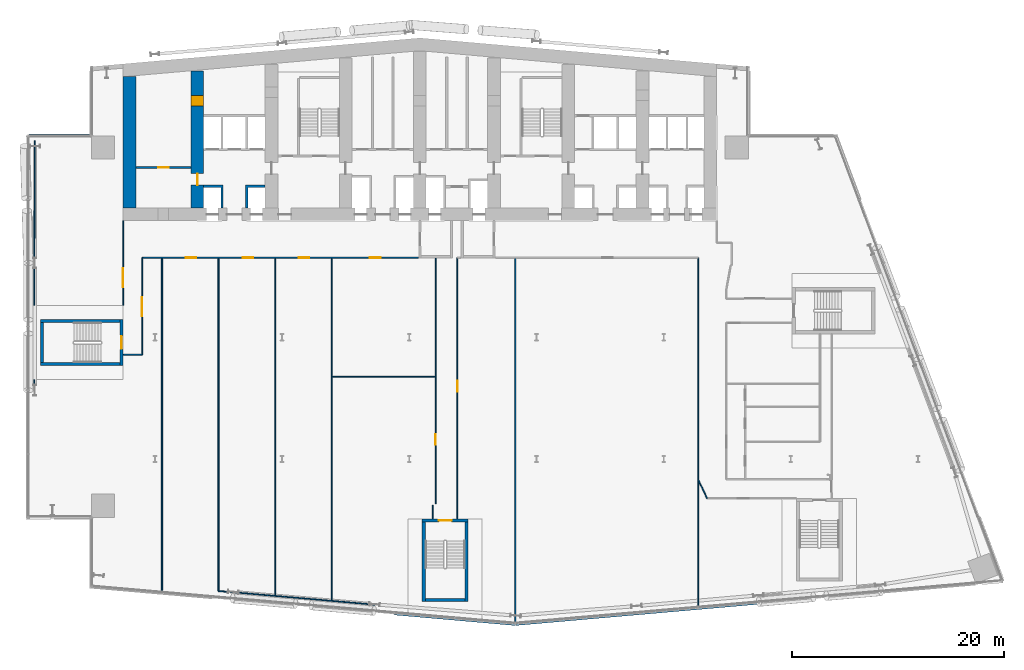
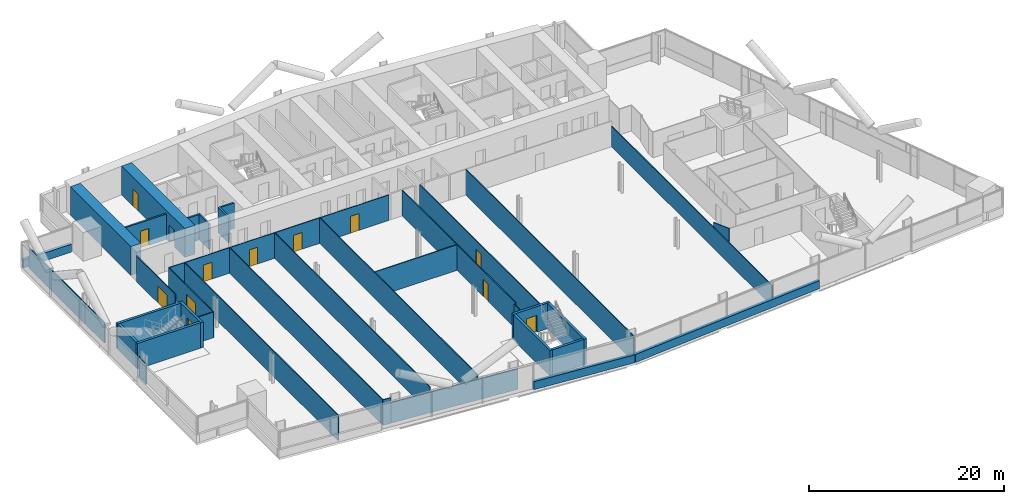
# One storey, part 13 of 25: 36 walls, 13 doors, 13 openings.
"""IFC4 building model written with IfcOpenShell, lengths in metres."""

from ifc_helpers import new_model, si_unit, direction, frame, frame_2d, origin, place, context, subcontext, project, spatial, polyline, rectangle, outline, extrude, material, layer, layer_set, type_object, element, fill, save


model = new_model("IFC4")

# Units and contexts
model_context = context("Model", 3, precision=1e-05, world=origin(), true_north=direction((0.0, 1.0)))
body_context = subcontext(model_context, "Body", "Model", "MODEL_VIEW")
ifc_project = project(units=[si_unit("LENGTHUNIT", "METRE"), si_unit("AREAUNIT", "SQUARE_METRE"), si_unit("VOLUMEUNIT", "CUBIC_METRE"), si_unit("PLANEANGLEUNIT", "RADIAN"), si_unit("MASSUNIT", "GRAM", prefix="KILO")], contexts=[model_context])

# Site, building, storey
site_placement = place(None, origin())
site = spatial("IfcSite", under=ifc_project, at=site_placement, CompositionType="ELEMENT")
building_placement = place(site_placement, origin())
building = spatial("IfcBuilding", under=site, at=building_placement, Name="Wharfspan Tower", CompositionType="ELEMENT")
storey_placement = place(building_placement, frame((0.0, 0.0, 63.100098)))
storey = spatial("IfcBuildingStorey", under=building, at=storey_placement, Name="L12", CompositionType="ELEMENT", Elevation=63.100098)

# Wall, opening, door
ifc_material_1 = material(Name="Gypsum board on steel studs", Category="steel")
ifc_layer_1 = layer(ifc_material_1, 0.100098)
ifc_layer_set_1 = layer_set([ifc_layer_1], Name="Gypsum board on steel studs")
wall_type_1 = type_object("IfcWallType", Name="Compartment wall 100 EI 60", PredefinedType="PARTITIONING", material=ifc_layer_set_1)
wall_1_placement = place(storey_placement, frame((9.0, 26.02002, 0.0), z_axis=(0.0, 0.0, 1.0), x_axis=(0.0, 1.0, 0.0)))
wall_1 = element("IfcWall", 1, at=wall_1_placement, inside=storey, type_object=wall_type_1, Name="Partition L12.w004", PredefinedType="PARTITIONING", context=body_context, shape_type="SweptSolid", body=[
    extrude(rectangle(XDim=7.959961, YDim=0.100098, at=frame_2d((3.97998, 0.0))), origin(), (0.0, 0.0, 1.0), 3.199951),
])
opening_1_placement = place(wall_1_placement, frame((1.699951, 0.0, 0.0)))
opening_1 = element("IfcOpeningElement", 2, at=opening_1_placement, cuts=wall_1, Name="Opening A3-12", PredefinedType="OPENING", context=body_context, shape_type="SweptSolid", body=[
    extrude(rectangle(XDim=1.800049, YDim=2.100098, at=frame_2d((0.899902, 1.050049))), frame((0.0, 0.060059, 0.0), z_axis=(0.0, -1.0, 0.0), x_axis=(1.0, 0.0, 0.0)), (0.0, 0.0, 1.0), 0.120117),
])
ifc_material_2 = material(Name="Fire-rated timber door leaf in steel frame", Category="steel")
door_type_1 = type_object("IfcDoorType", Name="Door 1800 FD30S Double", OperationType="DOUBLE_DOOR_SINGLE_SWING", PredefinedType="DOOR", material=ifc_material_2)
door_1_placement = place(opening_1_placement, origin())
door_1 = element("IfcDoor", 3, at=door_1_placement, inside=storey, type_object=door_type_1, Name="Door A3-12", OperationType="DOUBLE_DOOR_SINGLE_SWING", OverallHeight=2.100098, OverallWidth=1.800049, PredefinedType="DOOR", context=body_context, shape_type="SweptSolid", body=[
    extrude(rectangle(XDim=1.800049, YDim=2.100098, at=frame_2d((0.899902, 1.050049))), frame((0.0, 0.024902, 0.0), z_axis=(0.0, -1.0, 0.0), x_axis=(1.0, 0.0, 0.0)), (0.0, 0.0, 1.0), 0.050049),
])
fill(opening_1, door_1)

# Wall
wall_2_placement = place(storey_placement, frame((9.02002, 21.350098, 0.0), z_axis=(0.0, 0.0, 1.0), x_axis=(1.0, 0.0, 0.0)))
element("IfcWall", 4, at=wall_2_placement, inside=storey, type_object=wall_type_1, Name="Partition L12.w005", PredefinedType="PARTITIONING", context=body_context, shape_type="SweptSolid", body=[
    extrude(rectangle(XDim=1.780029, YDim=0.100098, at=frame_2d((0.890137, 0.0))), origin(), (0.0, 0.0, 1.0), 3.199951),
])

# Wall, opening, door
wall_3_placement = place(storey_placement, frame((10.800049, 21.350098, 0.0), z_axis=(0.0, 0.0, 1.0), x_axis=(0.0, 1.0, 0.0)))
wall_3 = element("IfcWall", 5, at=wall_3_placement, inside=storey, type_object=wall_type_1, Name="Partition L12.w006", PredefinedType="PARTITIONING", context=body_context, shape_type="SweptSolid", body=[
    extrude(rectangle(XDim=9.149902, YDim=0.100098, at=frame_2d((4.574951, 0.0))), origin(), (0.0, 0.0, 1.0), 3.199951),
])
opening_2_placement = place(wall_3_placement, frame((3.620117, 0.0, 0.0)))
opening_2 = element("IfcOpeningElement", 6, at=opening_2_placement, cuts=wall_3, Name="Opening A3-10", PredefinedType="OPENING", context=body_context, shape_type="SweptSolid", body=[
    extrude(rectangle(XDim=1.800049, YDim=2.100098, at=frame_2d((0.899902, 1.050049))), frame((0.0, 0.060059, 0.0), z_axis=(0.0, -1.0, 0.0), x_axis=(1.0, 0.0, 0.0)), (0.0, 0.0, 1.0), 0.120117),
])
door_2_placement = place(opening_2_placement, origin())
door_2 = element("IfcDoor", 7, at=door_2_placement, inside=storey, type_object=door_type_1, Name="Door A3-10", OperationType="DOUBLE_DOOR_SINGLE_SWING", OverallHeight=2.100098, OverallWidth=1.800049, PredefinedType="DOOR", context=body_context, shape_type="SweptSolid", body=[
    extrude(rectangle(XDim=1.800049, YDim=2.100098, at=frame_2d((0.899902, 1.050049))), frame((0.0, 0.024902, 0.0), z_axis=(0.0, -1.0, 0.0), x_axis=(1.0, 0.0, 0.0)), (0.0, 0.0, 1.0), 0.050049),
])
fill(opening_2, door_2)

# Wall, openings, doors
wall_4_placement = place(storey_placement, frame((10.800049, 30.5, 0.0), z_axis=(0.0, 0.0, 1.0), x_axis=(1.0, 0.0, 0.0)))
wall_4 = element("IfcWall", 8, at=wall_4_placement, inside=storey, type_object=wall_type_1, Name="Partition L12.w007", PredefinedType="PARTITIONING", context=body_context, shape_type="SweptSolid", body=[
    extrude(rectangle(XDim=26.050049, YDim=0.100098, at=frame_2d((13.024902, 0.0))), origin(), (0.0, 0.0, 1.0), 3.199951),
])
opening_3_placement = place(wall_4_placement, frame((4.090088, 0.0, 0.0)))
opening_3 = element("IfcOpeningElement", 9, at=opening_3_placement, cuts=wall_4, Name="Opening A3-13", PredefinedType="OPENING", context=body_context, shape_type="SweptSolid", body=[
    extrude(rectangle(XDim=1.0, YDim=2.100098, at=frame_2d((0.5, 1.050049))), frame((0.0, 0.060059, 0.0), z_axis=(0.0, -1.0, 0.0), x_axis=(1.0, 0.0, 0.0)), (0.0, 0.0, 1.0), 0.120117),
])
opening_4_placement = place(wall_4_placement, frame((9.5, 0.0, 0.0)))
opening_4 = element("IfcOpeningElement", 10, at=opening_4_placement, cuts=wall_4, Name="Opening A3-14", PredefinedType="OPENING", context=body_context, shape_type="SweptSolid", body=[
    extrude(rectangle(XDim=1.0, YDim=2.100098, at=frame_2d((0.5, 1.050049))), frame((0.0, 0.060059, 0.0), z_axis=(0.0, -1.0, 0.0), x_axis=(1.0, 0.0, 0.0)), (0.0, 0.0, 1.0), 0.120117),
])
opening_5_placement = place(wall_4_placement, frame((14.754883, 0.0, 0.0)))
opening_5 = element("IfcOpeningElement", 11, at=opening_5_placement, cuts=wall_4, Name="Opening A3-15", PredefinedType="OPENING", context=body_context, shape_type="SweptSolid", body=[
    extrude(rectangle(XDim=1.0, YDim=2.100098, at=frame_2d((0.5, 1.050049))), frame((0.0, 0.060059, 0.0), z_axis=(0.0, -1.0, 0.0), x_axis=(1.0, 0.0, 0.0)), (0.0, 0.0, 1.0), 0.120117),
])
opening_6_placement = place(wall_4_placement, frame((21.48999, 0.0, 0.0)))
opening_6 = element("IfcOpeningElement", 12, at=opening_6_placement, cuts=wall_4, Name="Opening A3-16", PredefinedType="OPENING", context=body_context, shape_type="SweptSolid", body=[
    extrude(rectangle(XDim=1.0, YDim=2.100098, at=frame_2d((0.5, 1.050049))), frame((0.0, 0.060059, 0.0), z_axis=(0.0, -1.0, 0.0), x_axis=(1.0, 0.0, 0.0)), (0.0, 0.0, 1.0), 0.120117),
])
door_type_2 = type_object("IfcDoorType", Name="Door 1000 FD30S Left", OperationType="SINGLE_SWING_LEFT", PredefinedType="DOOR", material=ifc_material_2)
door_3_placement = place(opening_3_placement, origin())
door_3 = element("IfcDoor", 13, at=door_3_placement, inside=storey, type_object=door_type_2, Name="Door A3-13", OperationType="SINGLE_SWING_LEFT", OverallHeight=2.100098, OverallWidth=1.0, PredefinedType="DOOR", context=body_context, shape_type="SweptSolid", body=[
    extrude(rectangle(XDim=1.0, YDim=2.100098, at=frame_2d((0.5, 1.050049))), frame((0.0, 0.024902, 0.0), z_axis=(0.0, -1.0, 0.0), x_axis=(1.0, 0.0, 0.0)), (0.0, 0.0, 1.0), 0.050049),
])
fill(opening_3, door_3)
door_4_placement = place(opening_4_placement, origin())
door_4 = element("IfcDoor", 14, at=door_4_placement, inside=storey, type_object=door_type_2, Name="Door A3-14", OperationType="SINGLE_SWING_LEFT", OverallHeight=2.100098, OverallWidth=1.0, PredefinedType="DOOR", context=body_context, shape_type="SweptSolid", body=[
    extrude(rectangle(XDim=1.0, YDim=2.100098, at=frame_2d((0.5, 1.050049))), frame((0.0, 0.024902, 0.0), z_axis=(0.0, -1.0, 0.0), x_axis=(1.0, 0.0, 0.0)), (0.0, 0.0, 1.0), 0.050049),
])
fill(opening_4, door_4)
door_type_3 = type_object("IfcDoorType", Name="Door 1000 FD30S Right", OperationType="SINGLE_SWING_RIGHT", PredefinedType="DOOR", material=ifc_material_2)
door_5_placement = place(opening_5_placement, origin())
door_5 = element("IfcDoor", 15, at=door_5_placement, inside=storey, type_object=door_type_3, Name="Door A3-15", OperationType="SINGLE_SWING_RIGHT", OverallHeight=2.100098, OverallWidth=1.0, PredefinedType="DOOR", context=body_context, shape_type="SweptSolid", body=[
    extrude(rectangle(XDim=1.0, YDim=2.100098, at=frame_2d((0.5, 1.050049))), frame((0.0, 0.024902, 0.0), z_axis=(0.0, -1.0, 0.0), x_axis=(1.0, 0.0, 0.0)), (0.0, 0.0, 1.0), 0.050049),
])
fill(opening_5, door_5)
door_6_placement = place(opening_6_placement, origin())
door_6 = element("IfcDoor", 16, at=door_6_placement, inside=storey, type_object=door_type_3, Name="Door A3-16", OperationType="SINGLE_SWING_RIGHT", OverallHeight=2.100098, OverallWidth=1.0, PredefinedType="DOOR", context=body_context, shape_type="SweptSolid", body=[
    extrude(rectangle(XDim=1.0, YDim=2.100098, at=frame_2d((0.5, 1.050049))), frame((0.0, 0.024902, 0.0), z_axis=(0.0, -1.0, 0.0), x_axis=(1.0, 0.0, 0.0)), (0.0, 0.0, 1.0), 0.050049),
])
fill(opening_6, door_6)

# Walls
wall_5_placement = place(storey_placement, frame((12.669922, -1.088379, 0.0), z_axis=(0.0, 0.0, 1.0), x_axis=(0.0, 1.0, 0.0)))
element("IfcWall", 17, at=wall_5_placement, inside=storey, type_object=wall_type_1, Name="Partition L12.w008", PredefinedType="PARTITIONING", context=body_context, shape_type="SweptSolid", body=[
    extrude(rectangle(XDim=31.588379, YDim=0.100098, at=frame_2d((15.794189, 0.0))), origin(), (0.0, 0.0, 1.0), 3.199951),
])
wall_6_placement = place(storey_placement, frame((18.0, -0.939941, 0.0), z_axis=(0.0, 0.0, 1.0), x_axis=(0.0, 1.0, 0.0)))
element("IfcWall", 18, at=wall_6_placement, inside=storey, type_object=wall_type_1, Name="Partition L12.w009", PredefinedType="PARTITIONING", context=body_context, shape_type="SweptSolid", body=[
    extrude(rectangle(XDim=31.439941, YDim=0.100098, at=frame_2d((15.719971, 0.0))), origin(), (0.0, 0.0, 1.0), 3.199951),
])
wall_7_placement = place(storey_placement, frame((23.334961, -1.409912, 0.0), z_axis=(0.0, 0.0, 1.0), x_axis=(0.0, 1.0, 0.0)))
element("IfcWall", 19, at=wall_7_placement, inside=storey, type_object=wall_type_1, Name="Partition L12.w011", PredefinedType="PARTITIONING", context=body_context, shape_type="SweptSolid", body=[
    extrude(rectangle(XDim=31.909912, YDim=0.100098, at=frame_2d((15.955078, 0.0))), origin(), (0.0, 0.0, 1.0), 3.199951),
])
wall_8_placement = place(storey_placement, frame((28.669922, -1.875, 0.0), z_axis=(0.0, 0.0, 1.0), x_axis=(0.0, 1.0, 0.0)))
element("IfcWall", 20, at=wall_8_placement, inside=storey, type_object=wall_type_1, Name="Partition L12.w012", PredefinedType="PARTITIONING", context=body_context, shape_type="SweptSolid", body=[
    extrude(rectangle(XDim=32.375, YDim=0.100098, at=frame_2d((16.1875, 0.0))), origin(), (0.0, 0.0, 1.0), 3.199951),
])
wall_9_placement = place(storey_placement, frame((28.669922, 19.284912, 0.0), z_axis=(0.0, 0.0, 1.0), x_axis=(1.0, 0.0, 0.0)))
element("IfcWall", 21, at=wall_9_placement, inside=storey, type_object=wall_type_1, Name="Partition L12.w013", PredefinedType="PARTITIONING", context=body_context, shape_type="SweptSolid", body=[
    extrude(rectangle(XDim=9.810059, YDim=0.100098, at=frame_2d((4.905029, 0.0))), origin(), (0.0, 0.0, 1.0), 3.199951),
])
wall_10_placement = place(storey_placement, frame((38.22998, 5.880615, 0.0), z_axis=(0.0, 0.0, 1.0), x_axis=(0.0, 1.0, 0.0)))
element("IfcWall", 22, at=wall_10_placement, inside=storey, type_object=wall_type_1, Name="Partition L12.w015", PredefinedType="PARTITIONING", context=body_context, shape_type="SweptSolid", body=[
    extrude(rectangle(XDim=1.279297, YDim=0.100098, at=frame_2d((0.639648, 0.0))), origin(), (0.0, 0.0, 1.0), 3.199951),
])

# Wall, opening, door
wall_11_placement = place(storey_placement, frame((38.47998, 7.280029, 0.0), z_axis=(0.0, 0.0, 1.0), x_axis=(0.0, 1.0, 0.0)))
wall_11 = element("IfcWall", 23, at=wall_11_placement, inside=storey, type_object=wall_type_1, Name="Partition L12.w016", PredefinedType="PARTITIONING", context=body_context, shape_type="SweptSolid", body=[
    extrude(rectangle(XDim=23.219971, YDim=0.100098, at=frame_2d((11.609863, 0.0))), origin(), (0.0, 0.0, 1.0), 3.199951),
])
opening_7_placement = place(wall_11_placement, frame((5.580078, 0.0, 0.0)))
opening_7 = element("IfcOpeningElement", 24, at=opening_7_placement, cuts=wall_11, Name="Opening A3-05", PredefinedType="OPENING", context=body_context, shape_type="SweptSolid", body=[
    extrude(rectangle(XDim=1.0, YDim=2.100098, at=frame_2d((0.5, 1.050049))), frame((0.0, 0.060059, 0.0), z_axis=(0.0, -1.0, 0.0), x_axis=(1.0, 0.0, 0.0)), (0.0, 0.0, 1.0), 0.120117),
])
door_7_placement = place(opening_7_placement, origin())
door_7 = element("IfcDoor", 25, at=door_7_placement, inside=storey, type_object=door_type_2, Name="Door A3-05", OperationType="SINGLE_SWING_LEFT", OverallHeight=2.100098, OverallWidth=1.0, PredefinedType="DOOR", context=body_context, shape_type="SweptSolid", body=[
    extrude(rectangle(XDim=1.0, YDim=2.100098, at=frame_2d((0.5, 1.050049))), frame((0.0, 0.024902, 0.0), z_axis=(0.0, -1.0, 0.0), x_axis=(1.0, 0.0, 0.0)), (0.0, 0.0, 1.0), 0.050049),
])
fill(opening_7, door_7)

wall_12_placement = place(storey_placement, frame((40.534912, 5.880615, 0.0), z_axis=(0.0, 0.0, 1.0), x_axis=(0.0, 1.0, 0.0)))
wall_12 = element("IfcWall", 26, at=wall_12_placement, inside=storey, type_object=wall_type_1, Name="Partition L12.w017", PredefinedType="PARTITIONING", context=body_context, shape_type="SweptSolid", body=[
    extrude(rectangle(XDim=24.619385, YDim=0.100098, at=frame_2d((12.30957, 0.0))), origin(), (0.0, 0.0, 1.0), 3.199951),
])
opening_8_placement = place(wall_12_placement, frame((11.999512, 0.0, 0.0)))
opening_8 = element("IfcOpeningElement", 27, at=opening_8_placement, cuts=wall_12, Name="Opening A3-08", PredefinedType="OPENING", context=body_context, shape_type="SweptSolid", body=[
    extrude(rectangle(XDim=1.0, YDim=2.100098, at=frame_2d((0.5, 1.050049))), frame((0.0, 0.060059, 0.0), z_axis=(0.0, -1.0, 0.0), x_axis=(1.0, 0.0, 0.0)), (0.0, 0.0, 1.0), 0.120117),
])
door_8_placement = place(opening_8_placement, origin())
door_8 = element("IfcDoor", 28, at=door_8_placement, inside=storey, type_object=door_type_3, Name="Door A3-08", OperationType="SINGLE_SWING_RIGHT", OverallHeight=2.100098, OverallWidth=1.0, PredefinedType="DOOR", context=body_context, shape_type="SweptSolid", body=[
    extrude(rectangle(XDim=1.0, YDim=2.100098, at=frame_2d((0.5, 1.050049))), frame((0.0, 0.024902, 0.0), z_axis=(0.0, -1.0, 0.0), x_axis=(1.0, 0.0, 0.0)), (0.0, 0.0, 1.0), 0.050049),
])
fill(opening_8, door_8)

# Walls
wall_13_placement = place(storey_placement, frame((46.0, -4.004395, 0.0), z_axis=(0.0, 0.0, 1.0), x_axis=(0.0, 1.0, 0.0)))
element("IfcWall", 29, at=wall_13_placement, inside=storey, type_object=wall_type_1, Name="Partition L12.w019", PredefinedType="PARTITIONING", context=body_context, shape_type="SweptSolid", body=[
    extrude(rectangle(XDim=34.504395, YDim=0.100098, at=frame_2d((17.252197, 0.0))), origin(), (0.0, 0.0, 1.0), 3.199951),
])
wall_14_placement = place(storey_placement, frame((63.25, -2.495117, 0.0), z_axis=(0.0, 0.0, 1.0), x_axis=(0.0, 1.0, 0.0)))
element("IfcWall", 30, at=wall_14_placement, inside=storey, type_object=wall_type_1, Name="Partition L12.w020", PredefinedType="PARTITIONING", context=body_context, shape_type="SweptSolid", body=[
    extrude(rectangle(XDim=32.995117, YDim=0.100098, at=frame_2d((16.497559, 0.0))), origin(), (0.0, 0.0, 1.0), 2.579834),
])
wall_15_placement = place(storey_placement, frame((64.100098, 7.790039, 0.0), z_axis=(0.0, 0.0, 1.0), x_axis=(-0.428035, 0.903766, 0.0)))
element("IfcWall", 31, at=wall_15_placement, inside=storey, type_object=wall_type_1, Name="Partition L12.w022", PredefinedType="PARTITIONING", context=body_context, shape_type="SweptSolid", body=[
    extrude(rectangle(XDim=1.986084, YDim=0.100098, at=frame_2d((0.993164, 0.0))), origin(), (0.0, 0.0, 1.0), 3.199951),
])

# Wall, opening, door
ifc_material_3 = material(Name="Calcium silicate masonry", Category="masonry")
ifc_layer_2 = layer(ifc_material_3, 0.199951)
ifc_layer_set_2 = layer_set([ifc_layer_2], Name="Calcium silicate masonry")
wall_type_2 = type_object("IfcWallType", Name="Core room wall 200", PredefinedType="PARTITIONING", material=ifc_layer_set_2)
wall_16_placement = place(storey_placement, frame((10.199951, 39.0, 0.0), z_axis=(0.0, 0.0, 1.0), x_axis=(1.0, 0.0, 0.0)))
wall_16 = element("IfcWall", 32, at=wall_16_placement, inside=storey, type_object=wall_type_2, Name="sw:L12:RM0", PredefinedType="PARTITIONING", context=body_context, shape_type="SweptSolid", body=[
    extrude(rectangle(XDim=5.199951, YDim=0.199951, at=frame_2d((2.600098, 0.0))), origin(), (0.0, 0.0, 1.0), 3.199951),
])
opening_9_placement = place(wall_16_placement, frame((2.100098, 0.0, 0.0)))
opening_9 = element("IfcOpeningElement", 33, at=opening_9_placement, cuts=wall_16, Name="Opening CD12.02", PredefinedType="OPENING", context=body_context, shape_type="SweptSolid", body=[
    extrude(rectangle(XDim=1.0, YDim=2.100098, at=frame_2d((0.5, 1.050049))), frame((0.0, 0.109863, 0.0), z_axis=(0.0, -1.0, 0.0), x_axis=(1.0, 0.0, 0.0)), (0.0, 0.0, 1.0), 0.219971),
])
ifc_material_4 = material(Name="Steel door leaf", Category="steel")
door_type_4 = type_object("IfcDoorType", Name="Core room door 1000x2100", OperationType="SINGLE_SWING_LEFT", PredefinedType="DOOR", material=ifc_material_4)
door_9_placement = place(opening_9_placement, origin())
door_9 = element("IfcDoor", 34, at=door_9_placement, inside=storey, type_object=door_type_4, Name="d:L12:0:rr", OperationType="SINGLE_SWING_RIGHT", OverallHeight=2.100098, OverallWidth=1.0, PredefinedType="DOOR", context=body_context, shape_type="SweptSolid", body=[
    extrude(rectangle(XDim=1.0, YDim=2.100098, at=frame_2d((0.5, 1.050049))), frame((0.0, 0.024902, 0.0), z_axis=(0.0, -1.0, 0.0), x_axis=(1.0, 0.0, 0.0)), (0.0, 0.0, 1.0), 0.050049),
])
fill(opening_9, door_9)

# Wall
ifc_material_5 = material(Name="Concrete C70/85", Category="concrete")
ifc_layer_3 = layer(ifc_material_5, 1.199951)
ifc_layer_set_3 = layer_set([ifc_layer_3], Name="Concrete C70/85")
wall_type_3 = type_object("IfcWallType", Name="Core wall 1200 C70/85", PredefinedType="SHEAR", material=ifc_layer_set_3)
wall_17_placement = place(storey_placement, frame((9.600098, 35.199951, 0.0), z_axis=(0.0, 0.0, 1.0), x_axis=(0.0, 1.0, 0.0)))
element("IfcWall", 35, at=wall_17_placement, inside=storey, type_object=wall_type_3, Name="Core cross wall EW0 L12", PredefinedType="SHEAR", context=body_context, shape_type="SweptSolid", body=[
    extrude(rectangle(XDim=12.382812, YDim=1.199951, at=frame_2d((6.191406, 0.0))), origin(), (0.0, 0.0, 1.0), 3.599854),
])

# Wall, openings, doors
wall_18_placement = place(storey_placement, frame((16.0, 35.199951, 0.0), z_axis=(0.0, 0.0, 1.0), x_axis=(0.0, 1.0, 0.0)))
wall_18 = element("IfcWall", 36, at=wall_18_placement, inside=storey, type_object=wall_type_3, Name="Core cross wall X1 L12", PredefinedType="SHEAR", context=body_context, shape_type="SweptSolid", body=[
    extrude(rectangle(XDim=12.942871, YDim=1.199951, at=frame_2d((6.471436, 0.0))), origin(), (0.0, 0.0, 1.0), 3.599854),
])
opening_10_placement = place(wall_18_placement, frame((2.149902, 0.0, 0.0)))
opening_10 = element("IfcOpeningElement", 37, at=opening_10_placement, cuts=wall_18, Name="Opening CC12.1", PredefinedType="OPENING", context=body_context, shape_type="SweptSolid", body=[
    extrude(rectangle(XDim=1.100098, YDim=2.100098, at=frame_2d((0.550049, 1.050049))), frame((0.0, 0.609863, 0.0), z_axis=(0.0, -1.0, 0.0), x_axis=(1.0, 0.0, 0.0)), (0.0, 0.0, 1.0), 1.219971),
])
opening_11_placement = place(wall_18_placement, frame((9.600098, 0.0, 0.0)))
opening_11 = element("IfcOpeningElement", 38, at=opening_11_placement, cuts=wall_18, Name="Opening CR12.1", PredefinedType="OPENING", context=body_context, shape_type="SweptSolid", body=[
    extrude(rectangle(XDim=1.0, YDim=2.100098, at=frame_2d((0.5, 1.050049))), frame((0.0, 0.609863, 0.0), z_axis=(0.0, -1.0, 0.0), x_axis=(1.0, 0.0, 0.0)), (0.0, 0.0, 1.0), 1.219971),
])
door_type_5 = type_object("IfcDoorType", Name="Core corridor door 1100x2100", OperationType="SINGLE_SWING_LEFT", PredefinedType="DOOR", material=ifc_material_4)
door_10_placement = place(opening_10_placement, origin())
door_10 = element("IfcDoor", 39, at=door_10_placement, inside=storey, type_object=door_type_5, Name="xd:L12:1", OperationType="SINGLE_SWING_LEFT", OverallHeight=2.100098, OverallWidth=1.100098, PredefinedType="DOOR", context=body_context, shape_type="SweptSolid", body=[
    extrude(rectangle(XDim=1.100098, YDim=2.100098, at=frame_2d((0.550049, 1.050049))), frame((0.0, 0.024902, 0.0), z_axis=(0.0, -1.0, 0.0), x_axis=(1.0, 0.0, 0.0)), (0.0, 0.0, 1.0), 0.050049),
])
fill(opening_10, door_10)
door_11_placement = place(opening_11_placement, origin())
door_11 = element("IfcDoor", 40, at=door_11_placement, inside=storey, type_object=door_type_4, Name="xr:L12:1", OperationType="SINGLE_SWING_RIGHT", OverallHeight=2.100098, OverallWidth=1.0, PredefinedType="DOOR", context=body_context, shape_type="SweptSolid", body=[
    extrude(rectangle(XDim=1.0, YDim=2.100098, at=frame_2d((0.5, 1.050049))), frame((0.0, 0.599609, 0.0), z_axis=(0.0, -1.0, 0.0), x_axis=(1.0, 0.0, 0.0)), (0.0, 0.0, 1.0), 1.199463),
])
fill(opening_11, door_11)

# Walls
ifc_material_6 = material(Name="Concrete C30/37", Category="concrete")
ifc_layer_4 = layer(ifc_material_6, 0.199951)
ifc_layer_set_4 = layer_set([ifc_layer_4], Name="Concrete C30/37")
wall_type_4 = type_object("IfcWallType", Name="Lift shaft wall 200", PredefinedType="PARTITIONING", material=ifc_layer_set_4)
wall_19_placement = place(storey_placement, frame((0.0, 0.0, -0.000244)))
element("IfcWall", 41, at=wall_19_placement, inside=storey, type_object=wall_type_4, Name="sw:L12:FM1.0", PredefinedType="PARTITIONING", context=body_context, shape_type="SweptSolid", body=[
    extrude(outline(polyline([(18.233398, 37.149902), (16.600098, 37.149902), (16.600098, 37.350098), (18.233398, 37.350098), (18.43335, 37.350098), (18.43335, 35.199951), (18.233398, 35.199951), (18.233398, 37.149902)])), origin(), (0.0, 0.0, 1.0), 3.200195),
])
wall_20_placement = place(storey_placement, frame((0.0, 0.0, -0.000244)))
element("IfcWall", 42, at=wall_20_placement, inside=storey, type_object=wall_type_4, Name="sw:L12:FM1.1", PredefinedType="PARTITIONING", context=body_context, shape_type="SweptSolid", body=[
    extrude(outline(polyline([(20.56665, 37.350098), (20.766602, 37.350098), (22.399902, 37.350098), (22.399902, 37.149902), (20.766602, 37.149902), (20.766602, 35.199951), (20.56665, 35.199951), (20.56665, 37.350098)])), origin(), (0.0, 0.0, 1.0), 3.200195),
])
ifc_layer_5 = layer(ifc_material_1, 0.100098)
ifc_layer_set_5 = layer_set([ifc_layer_5], Name="Gypsum board on steel studs")
wall_type_5 = type_object("IfcWallType", Name="Partition 100", PredefinedType="PARTITIONING", material=ifc_layer_set_5)
wall_21_placement = place(storey_placement, frame((0.629883, 17.5, 0.0), z_axis=(0.0, 0.0, 1.0), x_axis=(0.0, 1.0, 0.0)))
element("IfcWall", 43, at=wall_21_placement, inside=storey, type_object=wall_type_5, Name="Partition L12.w001", PredefinedType="PARTITIONING", context=body_context, shape_type="SweptSolid", body=[
    extrude(rectangle(XDim=1.47998, YDim=0.100098, at=frame_2d((0.73999, 0.0))), origin(), (0.0, 0.0, 1.0), 2.579834),
])
wall_22_placement = place(storey_placement, frame((0.629883, 26.02002, 0.0), z_axis=(0.0, 0.0, 1.0), x_axis=(0.0, 1.0, 0.0)))
element("IfcWall", 44, at=wall_22_placement, inside=storey, type_object=wall_type_5, Name="Partition L12.w002", PredefinedType="PARTITIONING", context=body_context, shape_type="SweptSolid", body=[
    extrude(rectangle(XDim=3.97998, YDim=0.100098, at=frame_2d((1.98999, 0.0))), origin(), (0.0, 0.0, 1.0), 2.579834),
])
wall_23_placement = place(storey_placement, frame((0.629883, 30.0, 0.0), z_axis=(0.0, 0.0, 1.0), x_axis=(0.00218, 0.999994, 0.0)))
element("IfcWall", 45, at=wall_23_placement, inside=storey, type_object=wall_type_5, Name="Partition L12.w003", PredefinedType="PARTITIONING", context=body_context, shape_type="SweptSolid", body=[
    extrude(rectangle(XDim=11.534912, YDim=0.100098, at=frame_2d((5.767578, 0.0))), origin(), (0.0, 0.0, 1.0), 2.579834),
])
wall_24_placement = place(storey_placement, frame((18.889893, -1.02002, 0.0), z_axis=(0.0, 0.0, 1.0), x_axis=(-0.996474, 0.083928, 0.0)))
element("IfcWall", 46, at=wall_24_placement, inside=storey, type_object=wall_type_5, Name="Partition L12.w010", PredefinedType="PARTITIONING", context=body_context, shape_type="SweptSolid", body=[
    extrude(rectangle(XDim=0.893066, YDim=0.100098, at=frame_2d((0.446533, 0.0))), origin(), (0.0, 0.0, 1.0), 3.199951),
])
wall_25_placement = place(storey_placement, frame((33.219971, -2.274902, 0.0), z_axis=(0.0, 0.0, 1.0), x_axis=(-0.99616, 0.087559, 0.0)))
element("IfcWall", 47, at=wall_25_placement, inside=storey, type_object=wall_type_5, Name="Partition L12.w014", PredefinedType="PARTITIONING", context=body_context, shape_type="SweptSolid", body=[
    extrude(rectangle(XDim=14.384766, YDim=0.100098, at=frame_2d((7.192383, 0.0))), origin(), (0.0, 0.0, 1.0), 2.579834),
])
ifc_material_7 = material(Name="Concrete C40/50", Category="concrete")
ifc_layer_6 = layer(ifc_material_7, 0.350098)
ifc_layer_set_6 = layer_set([ifc_layer_6], Name="Concrete C40/50")
wall_type_6 = type_object("IfcWallType", Name="SPANDREL EXPOSED CONCRETE 350", PredefinedType="SOLIDWALL", material=ifc_layer_set_6)
wall_26_placement = place(storey_placement, frame((34.60083, -3.032227, 0.0), z_axis=(0.0, 0.0, 1.0), x_axis=(0.996193, -0.087148, 0.0)))
element("IfcWall", 48, at=wall_26_placement, inside=storey, type_object=wall_type_6, Name="Spandrel upstand L12 S1 2", PredefinedType="SOLIDWALL", context=body_context, shape_type="SweptSolid", body=[
    extrude(rectangle(XDim=11.458008, YDim=0.350098, at=frame_2d((5.729004, 0.0))), origin(), (0.0, 0.0, 1.0), 1.0),
])
wall_27_placement = place(storey_placement, frame((46.04541, -4.025635, 0.0), z_axis=(0.0, 0.0, 1.0), x_axis=(0.99619, 0.087163, 0.0)))
element("IfcWall", 49, at=wall_27_placement, inside=storey, type_object=wall_type_6, Name="Spandrel upstand L12 S2 1", PredefinedType="SOLIDWALL", context=body_context, shape_type="SweptSolid", body=[
    extrude(rectangle(XDim=23.012695, YDim=0.350098, at=frame_2d((11.506348, 0.0))), origin(), (0.0, 0.0, 1.0), 1.0),
])
wall_28_placement = place(storey_placement, frame((5.820068, 42.004883, 0.0), z_axis=(0.0, 0.0, 1.0), x_axis=(-1.0, 0.0, 0.0)))
element("IfcWall", 50, at=wall_28_placement, inside=storey, type_object=wall_type_6, Name="Spandrel upstand L12 NRW-H", PredefinedType="SOLIDWALL", context=body_context, shape_type="SweptSolid", body=[
    extrude(rectangle(XDim=5.699951, YDim=0.350098, at=frame_2d((2.850098, 0.0))), origin(), (0.0, 0.0, 1.0), 1.0),
])

# Wall, opening, door
ifc_layer_7 = layer(ifc_material_7, 0.300049)
ifc_layer_set_7 = layer_set([ifc_layer_7], Name="Concrete C40/50")
wall_type_7 = type_object("IfcWallType", Name="Stair core wall 300", PredefinedType="SHEAR", material=ifc_layer_set_7)
wall_29_placement = place(storey_placement, frame((8.850098, 20.324951, 0.0), z_axis=(0.0, 0.0, 1.0), x_axis=(0.0, 1.0, 0.0)))
wall_29 = element("IfcWall", 51, at=wall_29_placement, inside=storey, type_object=wall_type_7, Name="ST3 stair enclosure wall L12", PredefinedType="SHEAR", context=body_context, shape_type="SweptSolid", body=[
    extrude(rectangle(XDim=4.350098, YDim=0.300049, at=frame_2d((2.175049, 0.0))), origin(), (0.0, 0.0, 1.0), 3.199951),
])
opening_12_placement = place(wall_29_placement, frame((1.574951, 0.0, 0.0)))
opening_12 = element("IfcOpeningElement", 52, at=opening_12_placement, cuts=wall_29, Name="Opening SD3.L12", PredefinedType="OPENING", context=body_context, shape_type="SweptSolid", body=[
    extrude(rectangle(XDim=1.199951, YDim=2.100098, at=frame_2d((0.600098, 1.050049))), frame((0.0, 0.159912, 0.0), z_axis=(0.0, -1.0, 0.0), x_axis=(1.0, 0.0, 0.0)), (0.0, 0.0, 1.0), 0.320068),
])
door_type_6 = type_object("IfcDoorType", Name="Stair door 1200x2100", OperationType="SINGLE_SWING_LEFT", PredefinedType="DOOR", material=ifc_material_4)
door_12_placement = place(opening_12_placement, origin())
door_12 = element("IfcDoor", 53, at=door_12_placement, inside=storey, type_object=door_type_6, Name="sd:L12:ST3z1", OperationType="SINGLE_SWING_RIGHT", OverallHeight=2.100098, OverallWidth=1.199951, PredefinedType="DOOR", context=body_context, shape_type="SweptSolid", body=[
    extrude(rectangle(XDim=1.199951, YDim=2.100098, at=frame_2d((0.600098, 1.050049))), frame((0.0, 0.024902, 0.0), z_axis=(0.0, -1.0, 0.0), x_axis=(1.0, 0.0, 0.0)), (0.0, 0.0, 1.0), 0.050049),
])
fill(opening_12, door_12)

wall_30_placement = place(storey_placement, frame((37.208252, 5.710693, 0.0), z_axis=(0.0, 0.0, 1.0), x_axis=(1.0, 0.0, 0.0)))
wall_30 = element("IfcWall", 54, at=wall_30_placement, inside=storey, type_object=wall_type_7, Name="ST4 stair enclosure wall L12", PredefinedType="SHEAR", context=body_context, shape_type="SweptSolid", body=[
    extrude(rectangle(XDim=4.350098, YDim=0.300049, at=frame_2d((2.175049, 0.0))), origin(), (0.0, 0.0, 1.0), 3.199951),
])
opening_13_placement = place(wall_30_placement, frame((1.574951, 0.0, 0.0)))
opening_13 = element("IfcOpeningElement", 55, at=opening_13_placement, cuts=wall_30, Name="Opening SD4.L12", PredefinedType="OPENING", context=body_context, shape_type="SweptSolid", body=[
    extrude(rectangle(XDim=1.199951, YDim=2.100098, at=frame_2d((0.600098, 1.050049))), frame((0.0, 0.159912, 0.0), z_axis=(0.0, -1.0, 0.0), x_axis=(1.0, 0.0, 0.0)), (0.0, 0.0, 1.0), 0.320068),
])
door_13_placement = place(opening_13_placement, origin())
door_13 = element("IfcDoor", 56, at=door_13_placement, inside=storey, type_object=door_type_6, Name="sd:L12:ST4z1", OperationType="SINGLE_SWING_RIGHT", OverallHeight=2.100098, OverallWidth=1.199951, PredefinedType="DOOR", context=body_context, shape_type="SweptSolid", body=[
    extrude(rectangle(XDim=1.199951, YDim=2.100098, at=frame_2d((0.600098, 1.050049))), frame((0.0, 0.024902, 0.0), z_axis=(0.0, -1.0, 0.0), x_axis=(1.0, 0.0, 0.0)), (0.0, 0.0, 1.0), 0.050049),
])
fill(opening_13, door_13)

# Walls
for number, where, z_axis, x_axis, name in (
    (57, (1.199951, 20.475098, 0.0), (0.0, 0.0, 1.0), (1.0, 0.0, 0.0), "ST3 stair enclosure wall L12"),
    (58, (1.199951, 24.524902, 0.0), (0.0, 0.0, 1.0), (1.0, 0.0, 0.0), "ST3 stair enclosure wall L12"),
):
    element("IfcWall", number, at=place(storey_placement, frame(where, z_axis=z_axis, x_axis=x_axis)), inside=storey, type_object=wall_type_7, Name=name, PredefinedType="SHEAR", context=body_context, shape_type="SweptSolid", body=[
        extrude(rectangle(XDim=7.5, YDim=0.300049, at=frame_2d((3.75, 0.0))), origin(), (0.0, 0.0, 1.0), 3.199951),
    ])
wall_31_placement = place(storey_placement, frame((1.350098, 20.625, 0.0), z_axis=(0.0, 0.0, 1.0), x_axis=(0.0, 1.0, 0.0)))
element("IfcWall", 59, at=wall_31_placement, inside=storey, type_object=wall_type_7, Name="ST3 stair enclosure wall L12", PredefinedType="SHEAR", context=body_context, shape_type="SweptSolid", body=[
    extrude(rectangle(XDim=3.75, YDim=0.300049, at=frame_2d((1.875, 0.0))), origin(), (0.0, 0.0, 1.0), 3.199951),
])
for number, where, z_axis, x_axis, name in (
    (60, (37.358398, -1.939453, 0.0), (0.0, 0.0, 1.0), (0.0, 1.0, 0.0), "ST4 stair enclosure wall L12"),
    (61, (41.408203, -1.939453, 0.0), (0.0, 0.0, 1.0), (0.0, 1.0, 0.0), "ST4 stair enclosure wall L12"),
):
    element("IfcWall", number, at=place(storey_placement, frame(where, z_axis=z_axis, x_axis=x_axis)), inside=storey, type_object=wall_type_7, Name=name, PredefinedType="SHEAR", context=body_context, shape_type="SweptSolid", body=[
        extrude(rectangle(XDim=7.5, YDim=0.300049, at=frame_2d((3.75, 0.0))), origin(), (0.0, 0.0, 1.0), 3.199951),
    ])
wall_32_placement = place(storey_placement, frame((37.508301, -1.789307, 0.0), z_axis=(0.0, 0.0, 1.0), x_axis=(1.0, 0.0, 0.0)))
element("IfcWall", 62, at=wall_32_placement, inside=storey, type_object=wall_type_7, Name="ST4 stair enclosure wall L12", PredefinedType="SHEAR", context=body_context, shape_type="SweptSolid", body=[
    extrude(rectangle(XDim=3.75, YDim=0.300049, at=frame_2d((1.875, 0.0))), origin(), (0.0, 0.0, 1.0), 3.199951),
])

save(model, "model.ifc")
